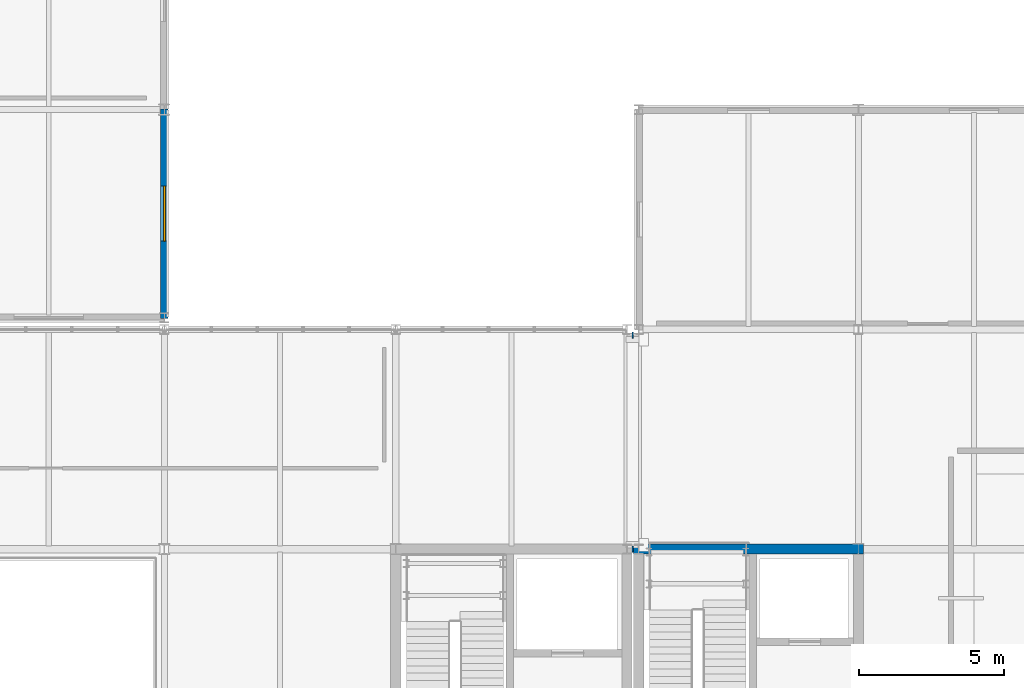
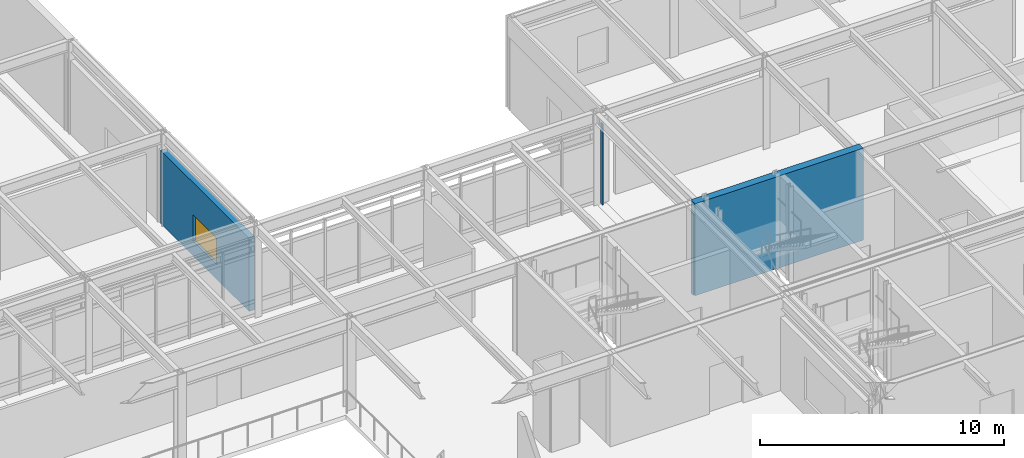
# One storey, part 85 of 104: 4 walls, 1 window, 1 opening.
"""IFC4 building model written with IfcOpenShell, lengths in metres."""

from ifc_helpers import new_model, si_unit, direction, frame, frame_2d, origin, place, context, subcontext, project, spatial, rectangle, extrude, material, layer, layer_set, type_object, element, fill, save


model = new_model("IFC4")

# Units and contexts
model_context = context("Model", 3, precision=1e-05, world=origin(), true_north=direction((0.0, 1.0)))
body_context = subcontext(model_context, "Body", "Model", "MODEL_VIEW")
ifc_project = project(units=[si_unit("LENGTHUNIT", "METRE"), si_unit("AREAUNIT", "SQUARE_METRE"), si_unit("VOLUMEUNIT", "CUBIC_METRE"), si_unit("PLANEANGLEUNIT", "RADIAN"), si_unit("MASSUNIT", "GRAM", prefix="KILO")], contexts=[model_context])

# Site, building, storey
site_placement = place(None, origin())
site = spatial("IfcSite", under=ifc_project, at=site_placement, CompositionType="ELEMENT")
building_placement = place(site_placement, origin())
building = spatial("IfcBuilding", under=site, at=building_placement, Name="Zulena Civic Courthouse", CompositionType="ELEMENT")
storey_placement = place(building_placement, frame((0.0, 0.0, 10.800048828125)))
storey = spatial("IfcBuildingStorey", under=building, at=storey_placement, Name="L02", CompositionType="ELEMENT", Elevation=10.800048828125)

# Walls
ifc_material_1 = material(Name="Travertine-cream architectural precast concrete C40/50", Category="masonry")
ifc_layer_1 = layer(ifc_material_1, 0.205078125)
ifc_layer_set_1 = layer_set([ifc_layer_1], Name="Travertine-cream architectural precast concrete C40/50")
wall_type_1 = type_object("IfcWallType", Name="BridgeWall_GlazedScreen_205", PredefinedType="STANDARD", material=ifc_layer_set_1)
for number, where, z_axis, x_axis, name in (
    (1, (124.219970703125, 38.0, 0.0), (0.0, 0.0, 1.0), (-1.0, 0.0, 0.0), "ewall:bridge:BR-43:L02:S"),
    (2, (124.179931640625, 45.39990234375, 0.0), (0.0, 0.0, 1.0), (1.0, 0.0, 0.0), "ewall:bridge:BR-43:L02:N"),
):
    element("IfcWall", number, at=place(storey_placement, frame(where, z_axis=z_axis, x_axis=x_axis)), inside=storey, type_object=wall_type_1, Name=name, PredefinedType="STANDARD", context=body_context, shape_type="SweptSolid", body=[
        extrude(rectangle(XDim=0.0400390625, YDim=0.205078125, at=frame_2d((0.02001953125, 0.0))), origin(), (0.0, 0.0, 1.0), 4.02001953125),
    ])
ifc_material_2 = material(Name="Concrete C40/50", Category="concrete")
ifc_layer_2 = layer(ifc_material_2, 0.35009765625)
ifc_layer_set_2 = layer_set([ifc_layer_2], Name="Concrete C40/50")
wall_type_2 = type_object("IfcWallType", Name="CoreShearWall_RC350", PredefinedType="SHEAR", material=ifc_layer_set_2)
wall_1_placement = place(storey_placement, frame((124.22509765625, 38.0, 0.0), z_axis=(0.0, 0.0, 1.0), x_axis=(1.0, 0.0, 0.0)))
element("IfcWall", 3, at=wall_1_placement, inside=storey, type_object=wall_type_2, Name="cwall:K3A:L02:N", PredefinedType="SHEAR", context=body_context, shape_type="SweptSolid", body=[
    extrude(rectangle(XDim=7.949951171875, YDim=0.35009765625, at=frame_2d((3.97509765625, 0.0))), origin(), (0.0, 0.0, 1.0), 4.58984375),
])

# Wall, opening, window
ifc_material_3 = material(Name="Buff architectural precast concrete C40/50", Category="concrete")
ifc_layer_3 = layer(ifc_material_3, 0.264892578125)
ifc_layer_set_3 = layer_set([ifc_layer_3], Name="Buff architectural precast concrete C40/50")
wall_type_3 = type_object("IfcWallType", Name="ExtWall_BuffPrecast_265", PredefinedType="STANDARD", material=ifc_layer_set_3)
wall_2_placement = place(storey_placement, frame((108.0, 53.219970703125, 0.0), z_axis=(0.0, 0.0, 1.0), x_axis=(0.0, -1.0, 0.0)))
wall_2 = element("IfcWall", 4, at=wall_2_placement, inside=storey, type_object=wall_type_3, Name="ewall:V5:L02:4:5", PredefinedType="STANDARD", context=body_context, shape_type="SweptSolid", body=[
    extrude(rectangle(XDim=7.239990234375, YDim=0.264892578125, at=frame_2d((3.6201171875, 0.0))), origin(), (0.0, 0.0, 1.0), 3.659912109375),
])
opening_placement = place(wall_2_placement, frame((2.669921875, 0.0, 0.75)))
opening = element("IfcOpeningElement", 5, at=opening_placement, cuts=wall_2, Name="Opening WN31", PredefinedType="OPENING", context=body_context, shape_type="SweptSolid", body=[
    extrude(rectangle(XDim=1.89990234375, YDim=1.300048828125, at=frame_2d((0.949951171875, 0.64990234375))), frame((0.0, 0.142333984375, 0.0), z_axis=(0.0, -1.0, 0.0), x_axis=(1.0, 0.0, 0.0)), (0.0, 0.0, 1.0), 0.284912109375),
])
ifc_material_4 = material(Name="Double-silver low-E laminated solar-control glass", Category="glass")
window_type = type_object("IfcWindowType", Name="Win_1900x1300", PartitioningType="DOUBLE_PANEL_VERTICAL", PredefinedType="WINDOW", material=ifc_material_4)
window_placement = place(opening_placement, origin())
window = element("IfcWindow", 6, at=window_placement, inside=storey, type_object=window_type, Name="win:V5:L02:4:5", OverallHeight=1.300048828125, OverallWidth=1.89990234375, PartitioningType="SINGLE_PANEL", PredefinedType="WINDOW", context=body_context, shape_type="SweptSolid", body=[
    extrude(rectangle(XDim=1.89990234375, YDim=1.300048828125, at=frame_2d((0.949951171875, 0.64990234375))), frame((0.0, 0.030029296875, 0.0), z_axis=(0.0, -1.0, 0.0), x_axis=(1.0, 0.0, 0.0)), (0.0, 0.0, 1.0), 0.06005859375),
])
fill(opening, window)

save(model, "model.ifc")
